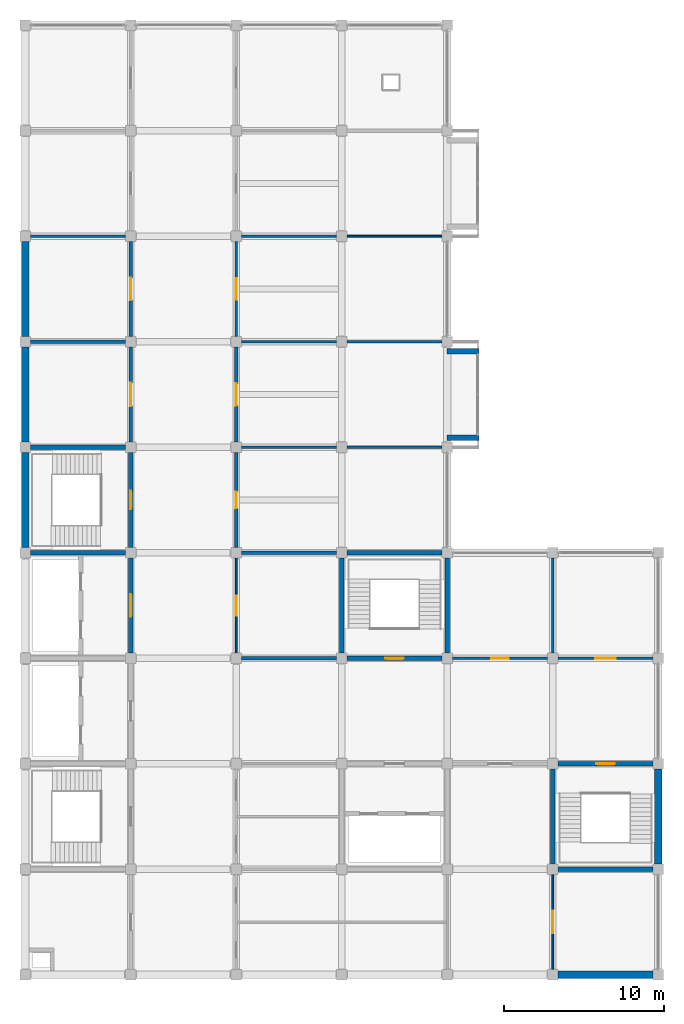
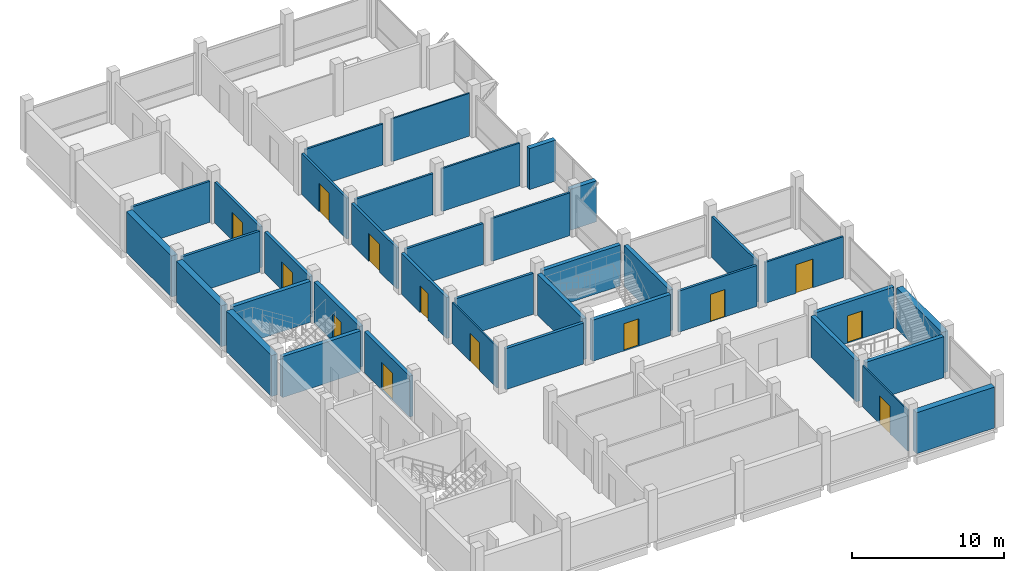
# One storey, part 8 of 10: 38 walls, 13 doors, 13 openings.
"""IFC4 building model written with IfcOpenShell, lengths in metres."""

import ifcopenshell
import ifcopenshell.guid

model = None  # the IFC model being written
_history = None  # IfcOwnerHistory: only IFC2X3 demands one
_inside = {}  # id of a spatial element -> (the spatial element, [elements in it])
_under = {}  # id of a project, library or spatial element -> (it, [spatial elements below it])
_declared = {}  # id of a project -> (the project, [libraries it declares])
_typed = {}  # id of a type object -> (the type object, [elements of that type])
_made_of = {}  # id of a material, layer set ... -> (it, [elements and type objects made of it])


def new_model(schema):
    """Start an empty IFC model of exactly this schema.

    Asked for "IFC4X3", IfcOpenShell would pick the latest addendum, in which some entities
    have other attributes; the version numbers below select the first issue.
    IFC2X3 requires an IfcOwnerHistory on every rooted entity: one is made here for all.
    """
    global model, _history
    if schema == "IFC4X3":
        model = ifcopenshell.file(schema_version=(4, 3, 0, 0))
    else:
        model = ifcopenshell.file(schema=schema)
    _inside.clear()
    _under.clear()
    _declared.clear()
    _typed.clear()
    _made_of.clear()
    _history = None
    if model.schema == "IFC2X3":
        org = make("IfcOrganization", Name="unknown")
        user = make(
            "IfcPersonAndOrganization",
            ThePerson=make("IfcPerson", FamilyName="unknown"),
            TheOrganization=org,
        )
        app = make(
            "IfcApplication",
            ApplicationDeveloper=org,
            Version="unknown",
            ApplicationFullName="unknown",
            ApplicationIdentifier="unknown",
        )
        _history = make(
            "IfcOwnerHistory",
            OwningUser=user,
            OwningApplication=app,
            ChangeAction="ADDED",
            CreationDate=0,
        )
    return model


def make(cls, **values):
    """One entity of the class cls with the attributes given. An attribute that is None is left unset."""
    return model.create_entity(
        cls, **{name: value for name, value in values.items() if value is not None}
    )


def rooted(cls, **values):
    """An entity with a GlobalId (a new one), such as an element, a storey or a relation."""
    return make(cls, GlobalId=ifcopenshell.guid.new(), OwnerHistory=_history, **values)


def si_unit(unit_type, name, prefix=None):
    """IfcSIUnit, for example si_unit("LENGTHUNIT", "METRE", prefix="MILLI")."""
    return make("IfcSIUnit", UnitType=unit_type, Prefix=prefix, Name=name)


def assignment(units):
    """IfcUnitAssignment: the units of a project."""
    return None if units is None else make("IfcUnitAssignment", Units=units)


def point(xyz):
    """IfcCartesianPoint."""
    return None if xyz is None else make("IfcCartesianPoint", Coordinates=xyz)


def direction(xyz):
    """IfcDirection."""
    return None if xyz is None else make("IfcDirection", DirectionRatios=xyz)


def frame(location, z_axis=None, x_axis=None):
    """IfcAxis2Placement3D, a coordinate frame: its origin and axes. An axis left out is left unset."""
    return make(
        "IfcAxis2Placement3D",
        Location=point(location),
        Axis=direction(z_axis),
        RefDirection=direction(x_axis),
    )


def frame_2d(location, x_axis=None):
    """IfcAxis2Placement2D, a coordinate frame in the plane: its origin and x axis."""
    return make(
        "IfcAxis2Placement2D", Location=point(location), RefDirection=direction(x_axis)
    )


def origin():
    """The frame at (0, 0, 0) with its axes left unset."""
    return frame((0.0, 0.0, 0.0))


def place(relative_to, where):
    """IfcLocalPlacement: puts the frame where relative to a parent placement (None: the world)."""
    return make(
        "IfcLocalPlacement", PlacementRelTo=relative_to, RelativePlacement=where
    )


def context(
    kind, dimensions, precision=None, world=None, true_north=None, identifier=None
):
    """IfcGeometricRepresentationContext, for example the 3D "Model" context."""
    return make(
        "IfcGeometricRepresentationContext",
        ContextIdentifier=identifier,
        ContextType=kind,
        CoordinateSpaceDimension=dimensions,
        Precision=precision,
        WorldCoordinateSystem=world,
        TrueNorth=true_north,
    )


def subcontext(parent, identifier, kind, view, scale=None):
    """IfcGeometricRepresentationSubContext, for example "Body" below "Model"."""
    return make(
        "IfcGeometricRepresentationSubContext",
        ContextIdentifier=identifier,
        ContextType=kind,
        ParentContext=parent,
        TargetScale=scale,
        TargetView=view,
    )


def project(units=None, contexts=None):
    """IfcProject with its units and contexts."""
    return rooted(
        "IfcProject",
        Name="project",
        RepresentationContexts=contexts,
        UnitsInContext=assignment(units),
    )


def spatial(cls, under=None, at=None, **own):
    """A site, building, storey or space (cls), placed at a placement, below another one or the project."""
    s = rooted(cls, ObjectPlacement=at, **own)
    if under is not None:
        _under.setdefault(under.id(), (under, []))[1].append(s)
    return s


def profile(cls, at=None, kind="AREA", **sizes):
    """A parametric profile (cls). Its sizes go by their IFC names, for example OverallWidth=200.0."""
    return make(cls, ProfileType=kind, Position=at, **sizes)


def rectangle(**sizes):
    """IfcRectangleProfileDef."""
    return profile("IfcRectangleProfileDef", **sizes)


def extrude(swept, where, along, depth):
    """IfcExtrudedAreaSolid: the profile swept, set in the frame where, extruded along a direction by depth."""
    return make(
        "IfcExtrudedAreaSolid",
        SweptArea=swept,
        Position=where,
        ExtrudedDirection=direction(along),
        Depth=depth,
    )


def shape(context_of_items, identifier, shape_type, items):
    """IfcShapeRepresentation: the items that make up one representation, for example the "Body"."""
    return make(
        "IfcShapeRepresentation",
        ContextOfItems=context_of_items,
        RepresentationIdentifier=identifier,
        RepresentationType=shape_type,
        Items=items,
    )


def material(Name=None, Category=None):
    """IfcMaterial."""
    return make("IfcMaterial", Name=Name, Category=Category)


def layer(
    of_material, thickness, ventilated=None, Name=None, Category=None, Priority=None
):
    """IfcMaterialLayer: one layer of a wall or slab, of a material (None: an air gap)."""
    return make(
        "IfcMaterialLayer",
        Material=of_material,
        LayerThickness=thickness,
        IsVentilated=ventilated,
        Name=Name,
        Category=Category,
        Priority=Priority,
    )


def layer_set(layers, Name=None):
    """IfcMaterialLayerSet."""
    return make("IfcMaterialLayerSet", MaterialLayers=layers, LayerSetName=Name)


def made_of(thing, what):
    """Note that an element or type object is made of a material, layer set ...; save() writes the relation."""
    if what is not None:
        _made_of.setdefault(what.id(), (what, []))[1].append(thing)
    return thing


def type_object(cls, material=None, **own):
    """A type object (cls), such as IfcWallType, which elements share."""
    return made_of(rooted(cls, **own), material)


def element(
    cls,
    number,
    at=None,
    inside=None,
    cuts=None,
    type_object=None,
    material=None,
    context=None,
    identifier="Body",
    shape_type=None,
    held_by="IfcProductDefinitionShape",
    body=None,
    shapes=None,
    **own,
):
    """One element of the class cls, such as IfcWall. Its Tag is "e" and its number.

    at: its placement. inside: the storey or other place that contains it. cuts: it is an
    opening in that element (IfcRelVoidsElement). A single representation is given by context,
    identifier, shape_type and body (its items); several are given by shapes. held_by: the class
    of the entity that holds the representations. save() writes the other relations.
    """
    e = rooted(cls, Tag="e%d" % number, ObjectPlacement=at, **own)
    if body is not None:
        shapes = [shape(context, identifier, shape_type, body)]
    if shapes is not None:
        e.Representation = make(held_by, Representations=shapes)
    if inside is not None:
        _inside.setdefault(inside.id(), (inside, []))[1].append(e)
    if cuts is not None:
        rooted(
            "IfcRelVoidsElement", RelatingBuildingElement=cuts, RelatedOpeningElement=e
        )
    if type_object is not None:
        _typed.setdefault(type_object.id(), (type_object, []))[1].append(e)
    return made_of(e, material)


def fill(opening, filler):
    """IfcRelFillsElement: the door or window that sits in an opening."""
    return rooted(
        "IfcRelFillsElement",
        RelatingOpeningElement=opening,
        RelatedBuildingElement=filler,
    )


def aggregate(whole, parts):
    """IfcRelAggregates: a whole, such as a stair, and the parts it consists of."""
    return rooted("IfcRelAggregates", RelatingObject=whole, RelatedObjects=parts)


def save(model, path):
    """Write the relations noted so far, then the file.

    IfcRelAggregates (storeys below a building ...), IfcRelContainedInSpatialStructure (elements
    in a storey), IfcRelDefinesByType, IfcRelAssociatesMaterial and IfcRelDeclares: one each for
    every whole, place, type object, material and project.
    """
    for whole, parts in _under.values():
        aggregate(whole, parts)
    for where, things in _inside.values():
        rooted(
            "IfcRelContainedInSpatialStructure",
            RelatedElements=things,
            RelatingStructure=where,
        )
    for kind, things in _typed.values():
        rooted("IfcRelDefinesByType", RelatedObjects=things, RelatingType=kind)
    for what, things in _made_of.values():
        rooted("IfcRelAssociatesMaterial", RelatedObjects=things, RelatingMaterial=what)
    for by, libraries in _declared.values():
        rooted("IfcRelDeclares", RelatingContext=by, RelatedDefinitions=libraries)
    model.write(path)


model = new_model("IFC4")

# Units and contexts
model_context = context("Model", 3, precision=1e-05, world=origin(), true_north=direction((0.0, 1.0)))
body_context = subcontext(model_context, "Body", "Model", "MODEL_VIEW")
ifc_project = project(units=[si_unit("LENGTHUNIT", "METRE"), si_unit("AREAUNIT", "SQUARE_METRE"), si_unit("VOLUMEUNIT", "CUBIC_METRE"), si_unit("PLANEANGLEUNIT", "RADIAN"), si_unit("MASSUNIT", "GRAM", prefix="KILO")], contexts=[model_context])

# Site, building, storey
site_placement = place(None, origin())
site = spatial("IfcSite", under=ifc_project, at=site_placement, CompositionType="ELEMENT")
building_placement = place(site_placement, origin())
building = spatial("IfcBuilding", under=site, at=building_placement, Name="Rusizi Kubbe Research Institute", CompositionType="ELEMENT")
storey_placement = place(building_placement, frame((0.0, 0.0, 52.199951171875)))
storey = spatial("IfcBuildingStorey", under=building, at=storey_placement, Name="L12", CompositionType="ELEMENT", Elevation=52.199951171875)

# Walls
ifc_material_1 = material(Name="Concrete C40/50", Category="concrete")
ifc_layer_1 = layer(ifc_material_1, 0.294921875)
ifc_layer_set_1 = layer_set([ifc_layer_1], Name="Concrete C40/50")
wall_type_1 = type_object("IfcWallType", Name="CRW-03", PredefinedType="SHEAR", material=ifc_layer_set_1)
for number, where, z_axis, x_axis, name in (
    (1, (0.324951171875, 26.39990234375, 0.0), (0.0, 0.0, 1.0), (1.0, 0.0, 0.0), "Stair Core Shear Wall ST2 L12 S"),
    (2, (0.324951171875, 33.0, 0.0), (0.0, 0.0, 1.0), (1.0, 0.0, 0.0), "Stair Core Shear Wall ST2 L12 N"),
):
    element("IfcWall", number, at=place(storey_placement, frame(where, z_axis=z_axis, x_axis=x_axis)), inside=storey, type_object=wall_type_1, Name=name, PredefinedType="SHEAR", context=body_context, shape_type="SweptSolid", body=[
        extrude(rectangle(XDim=5.949951171875, YDim=0.294921875, at=frame_2d((2.97509765625, 0.0))), origin(), (0.0, 0.0, 1.0), 3.300048828125),
    ])

# Wall, opening, door
wall_1_placement = place(storey_placement, frame((6.60009765625, 26.72509765625, 0.0), z_axis=(0.0, 0.0, 1.0), x_axis=(0.0, 1.0, 0.0)))
wall_1 = element("IfcWall", 3, at=wall_1_placement, inside=storey, type_object=wall_type_1, Name="Stair Core Shear Wall ST2 L12 E", PredefinedType="SHEAR", context=body_context, shape_type="SweptSolid", body=[
    extrude(rectangle(XDim=5.949951171875, YDim=0.294921875, at=frame_2d((2.97509765625, 0.0))), origin(), (0.0, 0.0, 1.0), 3.300048828125),
])
opening_1_placement = place(wall_1_placement, frame((2.39990234375, 0.0, 0.0)))
opening_1 = element("IfcOpeningElement", 4, at=opening_1_placement, cuts=wall_1, Name="Opening D-02", PredefinedType="OPENING", context=body_context, shape_type="SweptSolid", body=[
    extrude(rectangle(XDim=1.14990234375, YDim=2.199951171875, at=frame_2d((0.574951171875, 1.10009765625))), frame((0.0, 0.157470703125, 0.0), z_axis=(0.0, -1.0, 0.0), x_axis=(1.0, 0.0, 0.0)), (0.0, 0.0, 1.0), 0.31494140625),
])
ifc_material_2 = material(Name="Fire-Rated Steel Frame and Acoustic Timber Leaf", Category="wood")
door_type_1 = type_object("IfcDoorType", Name="ID-STAIR-115", OperationType="NOTDEFINED", PredefinedType="DOOR", material=ifc_material_2)
door_1_placement = place(opening_1_placement, origin())
door_1 = element("IfcDoor", 5, at=door_1_placement, inside=storey, type_object=door_type_1, Name="Exit Stair Door ST2 L12", OperationType="SINGLE_SWING_RIGHT", OverallHeight=2.199951171875, OverallWidth=1.14990234375, PredefinedType="DOOR", context=body_context, shape_type="SweptSolid", body=[
    extrude(rectangle(XDim=1.14990234375, YDim=2.199951171875, at=frame_2d((0.574951171875, 1.10009765625))), frame((0.0, 0.02490234375, 0.0), z_axis=(0.0, -1.0, 0.0), x_axis=(1.0, 0.0, 0.0)), (0.0, 0.0, 1.0), 0.050048828125),
])
fill(opening_1, door_1)

wall_2_placement = place(storey_placement, frame((20.125, 19.800048828125, 0.0), z_axis=(0.0, 0.0, 1.0), x_axis=(1.0, 0.0, 0.0)))
wall_2 = element("IfcWall", 6, at=wall_2_placement, inside=storey, type_object=wall_type_1, Name="Stair Core Shear Wall ST3 L12 S", PredefinedType="SHEAR", context=body_context, shape_type="SweptSolid", body=[
    extrude(rectangle(XDim=5.949951171875, YDim=0.294921875, at=frame_2d((2.97509765625, 0.0))), origin(), (0.0, 0.0, 1.0), 3.300048828125),
])
opening_2_placement = place(wall_2_placement, frame((2.39990234375, 0.0, 0.0)))
opening_2 = element("IfcOpeningElement", 7, at=opening_2_placement, cuts=wall_2, Name="Opening D-02", PredefinedType="OPENING", context=body_context, shape_type="SweptSolid", body=[
    extrude(rectangle(XDim=1.14990234375, YDim=2.199951171875, at=frame_2d((0.574951171875, 1.10009765625))), frame((0.0, 0.157470703125, 0.0), z_axis=(0.0, -1.0, 0.0), x_axis=(1.0, 0.0, 0.0)), (0.0, 0.0, 1.0), 0.31494140625),
])
door_2_placement = place(opening_2_placement, origin())
door_2 = element("IfcDoor", 8, at=door_2_placement, inside=storey, type_object=door_type_1, Name="Exit Stair Door ST3 L12", OperationType="SINGLE_SWING_RIGHT", OverallHeight=2.199951171875, OverallWidth=1.14990234375, PredefinedType="DOOR", context=body_context, shape_type="SweptSolid", body=[
    extrude(rectangle(XDim=1.14990234375, YDim=2.199951171875, at=frame_2d((0.574951171875, 1.10009765625))), frame((0.0, 0.02490234375, 0.0), z_axis=(0.0, -1.0, 0.0), x_axis=(1.0, 0.0, 0.0)), (0.0, 0.0, 1.0), 0.050048828125),
])
fill(opening_2, door_2)

# Walls
for number, where, z_axis, x_axis, name in (
    (9, (20.125, 26.39990234375, 0.0), (0.0, 0.0, 1.0), (1.0, 0.0, 0.0), "Stair Core Shear Wall ST3 L12 N"),
    (10, (19.800048828125, 20.125, 0.0), (0.0, 0.0, 1.0), (0.0, 1.0, 0.0), "Stair Core Shear Wall ST3 L12 W"),
    (11, (26.39990234375, 20.125, 0.0), (0.0, 0.0, 1.0), (0.0, 1.0, 0.0), "Stair Core Shear Wall ST3 L12 E"),
    (12, (33.324951171875, 6.60009765625, 0.0), (0.0, 0.0, 1.0), (1.0, 0.0, 0.0), "Stair Core Shear Wall ST4 L12 S"),
):
    element("IfcWall", number, at=place(storey_placement, frame(where, z_axis=z_axis, x_axis=x_axis)), inside=storey, type_object=wall_type_1, Name=name, PredefinedType="SHEAR", context=body_context, shape_type="SweptSolid", body=[
        extrude(rectangle(XDim=5.949951171875, YDim=0.294921875, at=frame_2d((2.97509765625, 0.0))), origin(), (0.0, 0.0, 1.0), 3.300048828125),
    ])

# Wall, opening, door
wall_3_placement = place(storey_placement, frame((33.324951171875, 13.199951171875, 0.0), z_axis=(0.0, 0.0, 1.0), x_axis=(1.0, 0.0, 0.0)))
wall_3 = element("IfcWall", 13, at=wall_3_placement, inside=storey, type_object=wall_type_1, Name="Stair Core Shear Wall ST4 L12 N", PredefinedType="SHEAR", context=body_context, shape_type="SweptSolid", body=[
    extrude(rectangle(XDim=5.949951171875, YDim=0.294921875, at=frame_2d((2.97509765625, 0.0))), origin(), (0.0, 0.0, 1.0), 3.300048828125),
])
opening_3_placement = place(wall_3_placement, frame((2.39990234375, 0.0, 0.0)))
opening_3 = element("IfcOpeningElement", 14, at=opening_3_placement, cuts=wall_3, Name="Opening D-02", PredefinedType="OPENING", context=body_context, shape_type="SweptSolid", body=[
    extrude(rectangle(XDim=1.14990234375, YDim=2.199951171875, at=frame_2d((0.574951171875, 1.10009765625))), frame((0.0, 0.157470703125, 0.0), z_axis=(0.0, -1.0, 0.0), x_axis=(1.0, 0.0, 0.0)), (0.0, 0.0, 1.0), 0.31494140625),
])
door_3_placement = place(opening_3_placement, origin())
door_3 = element("IfcDoor", 15, at=door_3_placement, inside=storey, type_object=door_type_1, Name="Exit Stair Door ST4 L12", OperationType="SINGLE_SWING_RIGHT", OverallHeight=2.199951171875, OverallWidth=1.14990234375, PredefinedType="DOOR", context=body_context, shape_type="SweptSolid", body=[
    extrude(rectangle(XDim=1.14990234375, YDim=2.199951171875, at=frame_2d((0.574951171875, 1.10009765625))), frame((0.0, 0.02490234375, 0.0), z_axis=(0.0, -1.0, 0.0), x_axis=(1.0, 0.0, 0.0)), (0.0, 0.0, 1.0), 0.050048828125),
])
fill(opening_3, door_3)

# Walls
wall_4_placement = place(storey_placement, frame((33.0, 6.925048828125, 0.0), z_axis=(0.0, 0.0, 1.0), x_axis=(0.0, 1.0, 0.0)))
element("IfcWall", 16, at=wall_4_placement, inside=storey, type_object=wall_type_1, Name="Stair Core Shear Wall ST4 L12 W", PredefinedType="SHEAR", context=body_context, shape_type="SweptSolid", body=[
    extrude(rectangle(XDim=5.949951171875, YDim=0.294921875, at=frame_2d((2.97509765625, 0.0))), origin(), (0.0, 0.0, 1.0), 3.300048828125),
])
ifc_material_3 = material(Name="Volcanic Basalt Ashlar Masonry", Category="masonry")
ifc_layer_2 = layer(ifc_material_3, 0.35498046875)
ifc_layer_set_2 = layer_set([ifc_layer_2], Name="Volcanic Basalt Ashlar Masonry")
wall_type_2 = type_object("IfcWallType", Name="EW-06", PredefinedType="SOLIDWALL", material=ifc_layer_set_2)
for number, where, z_axis, x_axis, name in (
    (17, (26.39990234375, 33.60009765625, 0.0), (0.0, 0.0, 1.0), (1.0, 0.0, 0.0), "Cumba Return Wall S L12 (4,5)"),
    (18, (26.39990234375, 39.0, 0.0), (0.0, 0.0, 1.0), (1.0, 0.0, 0.0), "Cumba Return Wall N L12 (4,5)"),
):
    element("IfcWall", number, at=place(storey_placement, frame(where, z_axis=z_axis, x_axis=x_axis)), inside=storey, type_object=wall_type_2, Name=name, PredefinedType="SOLIDWALL", context=body_context, shape_type="SweptSolid", body=[
        extrude(rectangle(XDim=2.0, YDim=0.35498046875, at=frame_2d((1.0, 0.0))), origin(), (0.0, 0.0, 1.0), 3.300048828125),
    ])

# Wall, opening, door
ifc_material_4 = material(Name="Concrete Blockwork Fire Partition", Category="masonry")
ifc_layer_3 = layer(ifc_material_4, 0.22509765625)
ifc_layer_set_3 = layer_set([ifc_layer_3], Name="Concrete Blockwork Fire Partition")
wall_type_3 = type_object("IfcWallType", Name="IW-01", PredefinedType="PARTITIONING", material=ifc_layer_set_3)
wall_5_placement = place(storey_placement, frame((6.60009765625, 33.324951171875, 0.0), z_axis=(0.0, 0.0, 1.0), x_axis=(0.0, 1.0, 0.0)))
wall_5 = element("IfcWall", 19, at=wall_5_placement, inside=storey, type_object=wall_type_3, Name="Interior Partition Wall L12 V1-5", PredefinedType="PARTITIONING", context=body_context, shape_type="SweptSolid", body=[
    extrude(rectangle(XDim=5.949951171875, YDim=0.22509765625, at=frame_2d((2.97509765625, 0.0))), origin(), (0.0, 0.0, 1.0), 3.300048828125),
])
opening_4_placement = place(wall_5_placement, frame((2.25, 0.0, 0.0)))
opening_4 = element("IfcOpeningElement", 20, at=opening_4_placement, cuts=wall_5, Name="Opening D-11", PredefinedType="OPENING", context=body_context, shape_type="SweptSolid", body=[
    extrude(rectangle(XDim=1.449951171875, YDim=2.25, at=frame_2d((0.72509765625, 1.125))), frame((0.0, 0.12255859375, 0.0), z_axis=(0.0, -1.0, 0.0), x_axis=(1.0, 0.0, 0.0)), (0.0, 0.0, 1.0), 0.2451171875),
])
ifc_material_5 = material(Name="Fire-Rated Steel Frame and Acoustic Timber Leaf", Category="wood")
door_type_2 = type_object("IfcDoorType", Name="ID-LAB-145", OperationType="NOTDEFINED", PredefinedType="DOOR", material=ifc_material_5)
door_4_placement = place(opening_4_placement, origin())
door_4 = element("IfcDoor", 21, at=door_4_placement, inside=storey, type_object=door_type_2, Name="Door to Clean Room Metrology Laboratory (L12-WSP-05)", OperationType="SINGLE_SWING_LEFT", OverallHeight=2.25, OverallWidth=1.449951171875, PredefinedType="DOOR", context=body_context, shape_type="SweptSolid", body=[
    extrude(rectangle(XDim=1.449951171875, YDim=2.25, at=frame_2d((0.72509765625, 1.125))), frame((0.0, 0.02490234375, 0.0), z_axis=(0.0, -1.0, 0.0), x_axis=(1.0, 0.0, 0.0)), (0.0, 0.0, 1.0), 0.050048828125),
])
fill(opening_4, door_4)

wall_6_placement = place(storey_placement, frame((13.199951171875, 26.72509765625, 0.0), z_axis=(0.0, 0.0, 1.0), x_axis=(0.0, 1.0, 0.0)))
wall_6 = element("IfcWall", 22, at=wall_6_placement, inside=storey, type_object=wall_type_3, Name="Interior Partition Wall L12 V2-4", PredefinedType="PARTITIONING", context=body_context, shape_type="SweptSolid", body=[
    extrude(rectangle(XDim=5.949951171875, YDim=0.22509765625, at=frame_2d((2.97509765625, 0.0))), origin(), (0.0, 0.0, 1.0), 3.300048828125),
])
opening_5_placement = place(wall_6_placement, frame((2.449951171875, 0.0, 0.0)))
opening_5 = element("IfcOpeningElement", 23, at=opening_5_placement, cuts=wall_6, Name="Opening D-16", PredefinedType="OPENING", context=body_context, shape_type="SweptSolid", body=[
    extrude(rectangle(XDim=1.050048828125, YDim=2.14990234375, at=frame_2d((0.52490234375, 1.074951171875))), frame((0.0, 0.12255859375, 0.0), z_axis=(0.0, -1.0, 0.0), x_axis=(1.0, 0.0, 0.0)), (0.0, 0.0, 1.0), 0.2451171875),
])
ifc_material_6 = material(Name="Fire-Rated Steel Frame and Acoustic Timber Leaf", Category="wood")
door_type_3 = type_object("IfcDoorType", Name="ID-OFF-105", OperationType="NOTDEFINED", PredefinedType="DOOR", material=ifc_material_6)
door_5_placement = place(opening_5_placement, origin())
door_5 = element("IfcDoor", 24, at=door_5_placement, inside=storey, type_object=door_type_3, Name="Door to Write-up Office (L12-NW-02)", OperationType="SINGLE_SWING_LEFT", OverallHeight=2.14990234375, OverallWidth=1.050048828125, PredefinedType="DOOR", context=body_context, shape_type="SweptSolid", body=[
    extrude(rectangle(XDim=1.050048828125, YDim=2.14990234375, at=frame_2d((0.52490234375, 1.074951171875))), frame((0.0, 0.02490234375, 0.0), z_axis=(0.0, -1.0, 0.0), x_axis=(1.0, 0.0, 0.0)), (0.0, 0.0, 1.0), 0.050048828125),
])
fill(opening_5, door_5)

# Walls
wall_7_placement = place(storey_placement, frame((13.52490234375, 19.800048828125, 0.0), z_axis=(0.0, 0.0, 1.0), x_axis=(1.0, 0.0, 0.0)))
element("IfcWall", 25, at=wall_7_placement, inside=storey, type_object=wall_type_3, Name="Interior Partition Wall L12 H2-3", PredefinedType="PARTITIONING", context=body_context, shape_type="SweptSolid", body=[
    extrude(rectangle(XDim=5.9501953125, YDim=0.22509765625, at=frame_2d((2.97509765625, 0.0))), origin(), (0.0, 0.0, 1.0), 3.300048828125),
])
ifc_material_7 = material(Name="Insulated Cleanroom Partition", Category="masonry")
ifc_layer_4 = layer(ifc_material_7, 0.195068359375)
ifc_layer_set_4 = layer_set([ifc_layer_4], Name="Insulated Cleanroom Partition")
wall_type_4 = type_object("IfcWallType", Name="IW-02", PredefinedType="PARTITIONING", material=ifc_layer_set_4)
wall_8_placement = place(storey_placement, frame((0.324951171875, 39.60009765625, 0.0), z_axis=(0.0, 0.0, 1.0), x_axis=(1.0, 0.0, 0.0)))
element("IfcWall", 26, at=wall_8_placement, inside=storey, type_object=wall_type_4, Name="Interior Partition Wall L12 H0-6", PredefinedType="PARTITIONING", context=body_context, shape_type="SweptSolid", body=[
    extrude(rectangle(XDim=5.949951171875, YDim=0.195068359375, at=frame_2d((2.97509765625, 0.0))), origin(), (0.0, 0.0, 1.0), 3.300048828125),
])

# Wall, opening, door
wall_9_placement = place(storey_placement, frame((6.60009765625, 39.925048828125, 0.0), z_axis=(0.0, 0.0, 1.0), x_axis=(0.0, 1.0, 0.0)))
wall_9 = element("IfcWall", 27, at=wall_9_placement, inside=storey, type_object=wall_type_4, Name="Interior Partition Wall L12 V1-6", PredefinedType="PARTITIONING", context=body_context, shape_type="SweptSolid", body=[
    extrude(rectangle(XDim=5.949951171875, YDim=0.195068359375, at=frame_2d((2.97509765625, 0.0))), origin(), (0.0, 0.0, 1.0), 3.300048828125),
])
opening_6_placement = place(wall_9_placement, frame((2.27490234375, 0.0, 0.0)))
opening_6 = element("IfcOpeningElement", 28, at=opening_6_placement, cuts=wall_9, Name="Opening D-12", PredefinedType="OPENING", context=body_context, shape_type="SweptSolid", body=[
    extrude(rectangle(XDim=1.39990234375, YDim=2.25, at=frame_2d((0.699951171875, 1.125))), frame((0.0, 0.107421875, 0.0), z_axis=(0.0, -1.0, 0.0), x_axis=(1.0, 0.0, 0.0)), (0.0, 0.0, 1.0), 0.215087890625),
])
ifc_material_8 = material(Name="Fire-Rated Steel Frame and Acoustic Timber Leaf", Category="wood")
door_type_4 = type_object("IfcDoorType", Name="ID-LAB-140", OperationType="NOTDEFINED", PredefinedType="DOOR", material=ifc_material_8)
door_6_placement = place(opening_6_placement, origin())
door_6 = element("IfcDoor", 29, at=door_6_placement, inside=storey, type_object=door_type_4, Name="Door to Service Spine Autoclave Room (L12-WSP-06)", OperationType="SINGLE_SWING_RIGHT", OverallHeight=2.25, OverallWidth=1.39990234375, PredefinedType="DOOR", context=body_context, shape_type="SweptSolid", body=[
    extrude(rectangle(XDim=1.39990234375, YDim=2.25, at=frame_2d((0.699951171875, 1.125))), frame((0.0, 0.02490234375, 0.0), z_axis=(0.0, -1.0, 0.0), x_axis=(1.0, 0.0, 0.0)), (0.0, 0.0, 1.0), 0.050048828125),
])
fill(opening_6, door_6)

wall_10_placement = place(storey_placement, frame((13.199951171875, 33.324951171875, 0.0), z_axis=(0.0, 0.0, 1.0), x_axis=(0.0, 1.0, 0.0)))
wall_10 = element("IfcWall", 30, at=wall_10_placement, inside=storey, type_object=wall_type_4, Name="Interior Partition Wall L12 V2-5", PredefinedType="PARTITIONING", context=body_context, shape_type="SweptSolid", body=[
    extrude(rectangle(XDim=5.949951171875, YDim=0.195068359375, at=frame_2d((2.97509765625, 0.0))), origin(), (0.0, 0.0, 1.0), 3.300048828125),
])
opening_7_placement = place(wall_10_placement, frame((2.27490234375, 0.0, 0.0)))
opening_7 = element("IfcOpeningElement", 31, at=opening_7_placement, cuts=wall_10, Name="Opening D-12", PredefinedType="OPENING", context=body_context, shape_type="SweptSolid", body=[
    extrude(rectangle(XDim=1.39990234375, YDim=2.25, at=frame_2d((0.699951171875, 1.125))), frame((0.0, 0.107421875, 0.0), z_axis=(0.0, -1.0, 0.0), x_axis=(1.0, 0.0, 0.0)), (0.0, 0.0, 1.0), 0.215087890625),
])
door_7_placement = place(opening_7_placement, origin())
door_7 = element("IfcDoor", 32, at=door_7_placement, inside=storey, type_object=door_type_4, Name="Door to Bioscience Wet Laboratory (L12-NW-03)", OperationType="SINGLE_SWING_RIGHT", OverallHeight=2.25, OverallWidth=1.39990234375, PredefinedType="DOOR", context=body_context, shape_type="SweptSolid", body=[
    extrude(rectangle(XDim=1.39990234375, YDim=2.25, at=frame_2d((0.699951171875, 1.125))), frame((0.0, 0.02490234375, 0.0), z_axis=(0.0, -1.0, 0.0), x_axis=(1.0, 0.0, 0.0)), (0.0, 0.0, 1.0), 0.050048828125),
])
fill(opening_7, door_7)

# Walls
wall_11_placement = place(storey_placement, frame((13.52490234375, 26.39990234375, 0.0), z_axis=(0.0, 0.0, 1.0), x_axis=(1.0, 0.0, 0.0)))
element("IfcWall", 33, at=wall_11_placement, inside=storey, type_object=wall_type_4, Name="Interior Partition Wall L12 H2-4", PredefinedType="PARTITIONING", context=body_context, shape_type="SweptSolid", body=[
    extrude(rectangle(XDim=5.9501953125, YDim=0.195068359375, at=frame_2d((2.97509765625, 0.0))), origin(), (0.0, 0.0, 1.0), 3.300048828125),
])
ifc_material_9 = material(Name="Acoustic Laboratory Partition", Category="masonry")
ifc_layer_5 = layer(ifc_material_9, 0.175048828125)
ifc_layer_set_5 = layer_set([ifc_layer_5], Name="Acoustic Laboratory Partition")
wall_type_5 = type_object("IfcWallType", Name="IW-03", PredefinedType="PARTITIONING", material=ifc_layer_set_5)
wall_12_placement = place(storey_placement, frame((0.324951171875, 46.199951171875, 0.0), z_axis=(0.0, 0.0, 1.0), x_axis=(1.0, 0.0, 0.0)))
element("IfcWall", 34, at=wall_12_placement, inside=storey, type_object=wall_type_5, Name="Interior Partition Wall L12 H0-7", PredefinedType="PARTITIONING", context=body_context, shape_type="SweptSolid", body=[
    extrude(rectangle(XDim=5.949951171875, YDim=0.175048828125, at=frame_2d((2.97509765625, 0.0))), origin(), (0.0, 0.0, 1.0), 3.300048828125),
])

# Wall, opening, door
wall_13_placement = place(storey_placement, frame((13.199951171875, 39.925048828125, 0.0), z_axis=(0.0, 0.0, 1.0), x_axis=(0.0, 1.0, 0.0)))
wall_13 = element("IfcWall", 35, at=wall_13_placement, inside=storey, type_object=wall_type_5, Name="Interior Partition Wall L12 V2-6", PredefinedType="PARTITIONING", context=body_context, shape_type="SweptSolid", body=[
    extrude(rectangle(XDim=5.949951171875, YDim=0.175048828125, at=frame_2d((2.97509765625, 0.0))), origin(), (0.0, 0.0, 1.0), 3.300048828125),
])
opening_8_placement = place(wall_13_placement, frame((2.300048828125, 0.0, 0.0)))
opening_8 = element("IfcOpeningElement", 36, at=opening_8_placement, cuts=wall_13, Name="Opening D-13", PredefinedType="OPENING", context=body_context, shape_type="SweptSolid", body=[
    extrude(rectangle(XDim=1.35009765625, YDim=2.300048828125, at=frame_2d((0.675048828125, 1.14990234375))), frame((0.0, 0.097412109375, 0.0), z_axis=(0.0, -1.0, 0.0), x_axis=(1.0, 0.0, 0.0)), (0.0, 0.0, 1.0), 0.195068359375),
])
ifc_material_10 = material(Name="Fire-Rated Steel Frame and Acoustic Timber Leaf", Category="wood")
door_type_5 = type_object("IfcDoorType", Name="ID-LAB-135", OperationType="NOTDEFINED", PredefinedType="DOOR", material=ifc_material_10)
door_8_placement = place(opening_8_placement, origin())
door_8 = element("IfcDoor", 37, at=door_8_placement, inside=storey, type_object=door_type_5, Name="Door to Computational Dry Laboratory (L12-NW-04)", OperationType="SINGLE_SWING_LEFT", OverallHeight=2.300048828125, OverallWidth=1.35009765625, PredefinedType="DOOR", context=body_context, shape_type="SweptSolid", body=[
    extrude(rectangle(XDim=1.35009765625, YDim=2.300048828125, at=frame_2d((0.675048828125, 1.14990234375))), frame((0.0, 0.02490234375, 0.0), z_axis=(0.0, -1.0, 0.0), x_axis=(1.0, 0.0, 0.0)), (0.0, 0.0, 1.0), 0.050048828125),
])
fill(opening_8, door_8)

# Wall
wall_14_placement = place(storey_placement, frame((13.52490234375, 33.0, 0.0), z_axis=(0.0, 0.0, 1.0), x_axis=(1.0, 0.0, 0.0)))
element("IfcWall", 38, at=wall_14_placement, inside=storey, type_object=wall_type_5, Name="Interior Partition Wall L12 H2-5", PredefinedType="PARTITIONING", context=body_context, shape_type="SweptSolid", body=[
    extrude(rectangle(XDim=5.9501953125, YDim=0.175048828125, at=frame_2d((2.97509765625, 0.0))), origin(), (0.0, 0.0, 1.0), 3.300048828125),
])

# Wall, opening, door
wall_15_placement = place(storey_placement, frame((26.72509765625, 19.800048828125, 0.0), z_axis=(0.0, 0.0, 1.0), x_axis=(1.0, 0.0, 0.0)))
wall_15 = element("IfcWall", 39, at=wall_15_placement, inside=storey, type_object=wall_type_5, Name="Interior Partition Wall L12 H4-3", PredefinedType="PARTITIONING", context=body_context, shape_type="SweptSolid", body=[
    extrude(rectangle(XDim=5.949951171875, YDim=0.175048828125, at=frame_2d((2.97509765625, 0.0))), origin(), (0.0, 0.0, 1.0), 3.300048828125),
])
opening_9_placement = place(wall_15_placement, frame((2.4150390625, 0.0, 0.0)))
opening_9 = element("IfcOpeningElement", 40, at=opening_9_placement, cuts=wall_15, Name="Opening D-18", PredefinedType="OPENING", context=body_context, shape_type="SweptSolid", body=[
    extrude(rectangle(XDim=1.1201171875, YDim=2.199951171875, at=frame_2d((0.56005859375, 1.10009765625))), frame((0.0, 0.097412109375, 0.0), z_axis=(0.0, -1.0, 0.0), x_axis=(1.0, 0.0, 0.0)), (0.0, 0.0, 1.0), 0.195068359375),
])
ifc_material_11 = material(Name="Fire-Rated Steel Frame and Acoustic Timber Leaf", Category="wood")
door_type_6 = type_object("IfcDoorType", Name="ID-OFF-112", OperationType="NOTDEFINED", PredefinedType="DOOR", material=ifc_material_11)
door_9_placement = place(opening_9_placement, origin())
door_9 = element("IfcDoor", 41, at=door_9_placement, inside=storey, type_object=door_type_6, Name="Door to Write-up Office (L12-EWN-01)", OperationType="SINGLE_SWING_LEFT", OverallHeight=2.199951171875, OverallWidth=1.1201171875, PredefinedType="DOOR", context=body_context, shape_type="SweptSolid", body=[
    extrude(rectangle(XDim=1.1201171875, YDim=2.199951171875, at=frame_2d((0.56005859375, 1.10009765625))), frame((0.0, 0.02490234375, 0.0), z_axis=(0.0, -1.0, 0.0), x_axis=(1.0, 0.0, 0.0)), (0.0, 0.0, 1.0), 0.050048828125),
])
fill(opening_9, door_9)

# Walls
wall_16_placement = place(storey_placement, frame((33.0, 20.125, 0.0), z_axis=(0.0, 0.0, 1.0), x_axis=(0.0, 1.0, 0.0)))
element("IfcWall", 42, at=wall_16_placement, inside=storey, type_object=wall_type_5, Name="Interior Partition Wall L12 V5-3", PredefinedType="PARTITIONING", context=body_context, shape_type="SweptSolid", body=[
    extrude(rectangle(XDim=5.949951171875, YDim=0.175048828125, at=frame_2d((2.97509765625, 0.0))), origin(), (0.0, 0.0, 1.0), 3.300048828125),
])
ifc_material_12 = material(Name="Fire-Rated Corridor Partition", Category="masonry")
ifc_layer_6 = layer(ifc_material_12, 0.155029296875)
ifc_layer_set_6 = layer_set([ifc_layer_6], Name="Fire-Rated Corridor Partition")
wall_type_6 = type_object("IfcWallType", Name="IW-04", PredefinedType="PARTITIONING", material=ifc_layer_set_6)
wall_17_placement = place(storey_placement, frame((13.52490234375, 39.60009765625, 0.0), z_axis=(0.0, 0.0, 1.0), x_axis=(1.0, 0.0, 0.0)))
element("IfcWall", 43, at=wall_17_placement, inside=storey, type_object=wall_type_6, Name="Interior Partition Wall L12 H2-6", PredefinedType="PARTITIONING", context=body_context, shape_type="SweptSolid", body=[
    extrude(rectangle(XDim=5.9501953125, YDim=0.155029296875, at=frame_2d((2.97509765625, 0.0))), origin(), (0.0, 0.0, 1.0), 3.300048828125),
])
wall_18_placement = place(storey_placement, frame((20.125, 33.0, 0.0), z_axis=(0.0, 0.0, 1.0), x_axis=(1.0, 0.0, 0.0)))
element("IfcWall", 44, at=wall_18_placement, inside=storey, type_object=wall_type_6, Name="Interior Partition Wall L12 H3-5", PredefinedType="PARTITIONING", context=body_context, shape_type="SweptSolid", body=[
    extrude(rectangle(XDim=5.949951171875, YDim=0.155029296875, at=frame_2d((2.97509765625, 0.0))), origin(), (0.0, 0.0, 1.0), 3.449951171875),
])

# Wall, opening, door
wall_19_placement = place(storey_placement, frame((33.324951171875, 19.800048828125, 0.0), z_axis=(0.0, 0.0, 1.0), x_axis=(1.0, 0.0, 0.0)))
wall_19 = element("IfcWall", 45, at=wall_19_placement, inside=storey, type_object=wall_type_6, Name="Interior Partition Wall L12 H5-3", PredefinedType="PARTITIONING", context=body_context, shape_type="SweptSolid", body=[
    extrude(rectangle(XDim=5.949951171875, YDim=0.155029296875, at=frame_2d((2.97509765625, 0.0))), origin(), (0.0, 0.0, 1.0), 3.300048828125),
])
opening_10_placement = place(wall_19_placement, frame((2.324951171875, 0.0, 0.0)))
opening_10 = element("IfcOpeningElement", 46, at=opening_10_placement, cuts=wall_19, Name="Opening D-14", PredefinedType="OPENING", context=body_context, shape_type="SweptSolid", body=[
    extrude(rectangle(XDim=1.300048828125, YDim=2.300048828125, at=frame_2d((0.64990234375, 1.14990234375))), frame((0.0, 0.08740234375, 0.0), z_axis=(0.0, -1.0, 0.0), x_axis=(1.0, 0.0, 0.0)), (0.0, 0.0, 1.0), 0.175048828125),
])
ifc_material_13 = material(Name="Fire-Rated Steel Frame and Acoustic Timber Leaf", Category="wood")
door_type_7 = type_object("IfcDoorType", Name="ID-LAB-130", OperationType="NOTDEFINED", PredefinedType="DOOR", material=ifc_material_13)
door_10_placement = place(opening_10_placement, origin())
door_10 = element("IfcDoor", 47, at=door_10_placement, inside=storey, type_object=door_type_7, Name="Door to Molecular Diagnostics Laboratory (L12-EWN-02)", OperationType="SINGLE_SWING_RIGHT", OverallHeight=2.300048828125, OverallWidth=1.300048828125, PredefinedType="DOOR", context=body_context, shape_type="SweptSolid", body=[
    extrude(rectangle(XDim=1.300048828125, YDim=2.300048828125, at=frame_2d((0.64990234375, 1.14990234375))), frame((0.0, 0.02490234375, 0.0), z_axis=(0.0, -1.0, 0.0), x_axis=(1.0, 0.0, 0.0)), (0.0, 0.0, 1.0), 0.050048828125),
])
fill(opening_10, door_10)

# Walls
ifc_material_14 = material(Name="Write-up Glazed Acoustic Partition", Category="masonry")
ifc_layer_7 = layer(ifc_material_14, 0.139892578125)
ifc_layer_set_7 = layer_set([ifc_layer_7], Name="Write-up Glazed Acoustic Partition")
wall_type_7 = type_object("IfcWallType", Name="IW-05", PredefinedType="PARTITIONING", material=ifc_layer_set_7)
wall_20_placement = place(storey_placement, frame((13.52490234375, 46.199951171875, 0.0), z_axis=(0.0, 0.0, 1.0), x_axis=(1.0, 0.0, 0.0)))
element("IfcWall", 48, at=wall_20_placement, inside=storey, type_object=wall_type_7, Name="Interior Partition Wall L12 H2-7", PredefinedType="PARTITIONING", context=body_context, shape_type="SweptSolid", body=[
    extrude(rectangle(XDim=5.9501953125, YDim=0.139892578125, at=frame_2d((2.97509765625, 0.0))), origin(), (0.0, 0.0, 1.0), 3.300048828125),
])
wall_21_placement = place(storey_placement, frame((20.125, 39.60009765625, 0.0), z_axis=(0.0, 0.0, 1.0), x_axis=(1.0, 0.0, 0.0)))
element("IfcWall", 49, at=wall_21_placement, inside=storey, type_object=wall_type_7, Name="Interior Partition Wall L12 H3-6", PredefinedType="PARTITIONING", context=body_context, shape_type="SweptSolid", body=[
    extrude(rectangle(XDim=5.949951171875, YDim=0.139892578125, at=frame_2d((2.97509765625, 0.0))), origin(), (0.0, 0.0, 1.0), 3.449951171875),
])

# Wall, opening, door
ifc_material_15 = material(Name="Sub-Suite Fire Partition", Category="masonry")
ifc_layer_8 = layer(ifc_material_15, 0.110107421875)
ifc_layer_set_8 = layer_set([ifc_layer_8], Name="Sub-Suite Fire Partition")
wall_type_8 = type_object("IfcWallType", Name="IW-07", PredefinedType="PARTITIONING", material=ifc_layer_set_8)
wall_22_placement = place(storey_placement, frame((13.199951171875, 20.125, 0.0), z_axis=(0.0, 0.0, 1.0), x_axis=(0.0, 1.0, 0.0)))
wall_22 = element("IfcWall", 50, at=wall_22_placement, inside=storey, type_object=wall_type_8, Name="Interior Partition Wall L12 V2-3", PredefinedType="PARTITIONING", context=body_context, shape_type="SweptSolid", body=[
    extrude(rectangle(XDim=5.949951171875, YDim=0.110107421875, at=frame_2d((2.97509765625, 0.0))), origin(), (0.0, 0.0, 1.0), 3.300048828125),
])
opening_11_placement = place(wall_22_placement, frame((2.35009765625, 0.0, 0.0)))
opening_11 = element("IfcOpeningElement", 51, at=opening_11_placement, cuts=wall_22, Name="Opening D-15", PredefinedType="OPENING", context=body_context, shape_type="SweptSolid", body=[
    extrude(rectangle(XDim=1.25, YDim=2.25, at=frame_2d((0.625, 1.125))), frame((0.0, 0.06494140625, 0.0), z_axis=(0.0, -1.0, 0.0), x_axis=(1.0, 0.0, 0.0)), (0.0, 0.0, 1.0), 0.130126953125),
])
ifc_material_16 = material(Name="Fire-Rated Steel Frame and Acoustic Timber Leaf", Category="wood")
door_type_8 = type_object("IfcDoorType", Name="ID-LAB-125", OperationType="NOTDEFINED", PredefinedType="DOOR", material=ifc_material_16)
door_11_placement = place(opening_11_placement, origin())
door_11 = element("IfcDoor", 52, at=door_11_placement, inside=storey, type_object=door_type_8, Name="Door to Computational Dry Laboratory (L12-NW-01)", OperationType="SINGLE_SWING_LEFT", OverallHeight=2.25, OverallWidth=1.25, PredefinedType="DOOR", context=body_context, shape_type="SweptSolid", body=[
    extrude(rectangle(XDim=1.25, YDim=2.25, at=frame_2d((0.625, 1.125))), frame((0.0, 0.02490234375, 0.0), z_axis=(0.0, -1.0, 0.0), x_axis=(1.0, 0.0, 0.0)), (0.0, 0.0, 1.0), 0.050048828125),
])
fill(opening_11, door_11)

# Wall
wall_23_placement = place(storey_placement, frame((20.125, 46.199951171875, 0.0), z_axis=(0.0, 0.0, 1.0), x_axis=(1.0, 0.0, 0.0)))
element("IfcWall", 53, at=wall_23_placement, inside=storey, type_object=wall_type_8, Name="Interior Partition Wall L12 H3-7", PredefinedType="PARTITIONING", context=body_context, shape_type="SweptSolid", body=[
    extrude(rectangle(XDim=5.949951171875, YDim=0.110107421875, at=frame_2d((2.97509765625, 0.0))), origin(), (0.0, 0.0, 1.0), 3.449951171875),
])

# Wall, opening, door
wall_24_placement = place(storey_placement, frame((33.0, 0.324951171875, 0.0), z_axis=(0.0, 0.0, 1.0), x_axis=(0.0, 1.0, 0.0)))
wall_24 = element("IfcWall", 54, at=wall_24_placement, inside=storey, type_object=wall_type_8, Name="Interior Partition Wall L12 V5-0", PredefinedType="PARTITIONING", context=body_context, shape_type="SweptSolid", body=[
    extrude(rectangle(XDim=5.949951171875, YDim=0.110107421875, at=frame_2d((2.97509765625, 0.0))), origin(), (0.0, 0.0, 1.0), 3.300048828125),
])
opening_12_placement = place(wall_24_placement, frame((2.27490234375, 0.0, 0.0)))
opening_12 = element("IfcOpeningElement", 55, at=opening_12_placement, cuts=wall_24, Name="Opening D-12", PredefinedType="OPENING", context=body_context, shape_type="SweptSolid", body=[
    extrude(rectangle(XDim=1.39990234375, YDim=2.25, at=frame_2d((0.699951171875, 1.125))), frame((0.0, 0.06494140625, 0.0), z_axis=(0.0, -1.0, 0.0), x_axis=(1.0, 0.0, 0.0)), (0.0, 0.0, 1.0), 0.130126953125),
])
door_12_placement = place(opening_12_placement, origin())
door_12 = element("IfcDoor", 56, at=door_12_placement, inside=storey, type_object=door_type_4, Name="Door to Laboratory Instrument Support Room (L12-EWU-05)", OperationType="SINGLE_SWING_RIGHT", OverallHeight=2.25, OverallWidth=1.39990234375, PredefinedType="DOOR", context=body_context, shape_type="SweptSolid", body=[
    extrude(rectangle(XDim=1.39990234375, YDim=2.25, at=frame_2d((0.699951171875, 1.125))), frame((0.0, 0.02490234375, 0.0), z_axis=(0.0, -1.0, 0.0), x_axis=(1.0, 0.0, 0.0)), (0.0, 0.0, 1.0), 0.050048828125),
])
fill(opening_12, door_12)

# Walls
ifc_material_17 = material(Name="Concrete C40/50", Category="concrete")
ifc_layer_9 = layer(ifc_material_17, 0.4599609375)
ifc_layer_set_9 = layer_set([ifc_layer_9], Name="Concrete C40/50")
wall_type_9 = type_object("IfcWallType", Name="PW-02", PredefinedType="SOLIDWALL", material=ifc_layer_set_9)
for number, where, z_axis, x_axis, name in (
    (57, (0.0, 26.72509765625, 0.0), (0.0, 0.0, 1.0), (0.0, 1.0, 0.0), "Blind Party Wall L12 V0-4"),
    (58, (0.0, 33.324951171875, 0.0), (0.0, 0.0, 1.0), (0.0, 1.0, 0.0), "Blind Party Wall L12 V0-5"),
    (59, (0.0, 39.925048828125, 0.0), (0.0, 0.0, 1.0), (0.0, 1.0, 0.0), "Blind Party Wall L12 V0-6"),
    (60, (33.324951171875, 0.0, 0.0), (0.0, 0.0, 1.0), (1.0, 0.0, 0.0), "Blind Party Wall L12 H5-0"),
    (61, (39.60009765625, 6.925048828125, 0.0), (0.0, 0.0, 1.0), (0.0, 1.0, 0.0), "Core Shear Exterior Wall L12 V6-1"),
):
    element("IfcWall", number, at=place(storey_placement, frame(where, z_axis=z_axis, x_axis=x_axis)), inside=storey, type_object=wall_type_9, Name=name, PredefinedType="SOLIDWALL", context=body_context, shape_type="SweptSolid", body=[
        extrude(rectangle(XDim=5.949951171875, YDim=0.4599609375, at=frame_2d((2.97509765625, 0.0))), origin(), (0.0, 0.0, 1.0), 3.300048828125),
    ])

# Wall, opening, door
ifc_material_18 = material(Name="Concrete C40/50", Category="concrete")
ifc_layer_10 = layer(ifc_material_18, 0.27490234375)
ifc_layer_set_10 = layer_set([ifc_layer_10], Name="Concrete C40/50")
wall_type_10 = type_object("IfcWallType", Name="SHW-01", PredefinedType="SHEAR", material=ifc_layer_set_10)
wall_25_placement = place(storey_placement, frame((6.60009765625, 20.125, 0.0), z_axis=(0.0, 0.0, 1.0), x_axis=(0.0, 1.0, 0.0)))
wall_25 = element("IfcWall", 62, at=wall_25_placement, inside=storey, type_object=wall_type_10, Name="Passenger Lift Lobby Wall L12", PredefinedType="SHEAR", context=body_context, shape_type="SweptSolid", body=[
    extrude(rectangle(XDim=5.949951171875, YDim=0.27490234375, at=frame_2d((2.97509765625, 0.0))), origin(), (0.0, 0.0, 1.0), 3.300048828125),
])
opening_13_placement = place(wall_25_placement, frame((2.264892578125, 0.0, 0.0)))
opening_13 = element("IfcOpeningElement", 63, at=opening_13_placement, cuts=wall_25, Name="Opening D-22", PredefinedType="OPENING", context=body_context, shape_type="SweptSolid", body=[
    extrude(rectangle(XDim=1.419921875, YDim=2.199951171875, at=frame_2d((0.7099609375, 1.10009765625))), frame((0.0, 0.1474609375, 0.0), z_axis=(0.0, -1.0, 0.0), x_axis=(1.0, 0.0, 0.0)), (0.0, 0.0, 1.0), 0.294921875),
])
ifc_material_19 = material(Name="Fire-Rated Steel Frame and Acoustic Timber Leaf", Category="wood")
door_type_9 = type_object("IfcDoorType", Name="ID-STR-142", OperationType="DOUBLE_DOOR_SINGLE_SWING", PredefinedType="DOOR", material=ifc_material_19)
door_13_placement = place(opening_13_placement, origin())
door_13 = element("IfcDoor", 64, at=door_13_placement, inside=storey, type_object=door_type_9, Name="Door to Passenger Lift Lobby (L12-LBY-01)", OperationType="DOUBLE_DOOR_SINGLE_SWING", OverallHeight=2.199951171875, OverallWidth=1.419921875, PredefinedType="DOOR", context=body_context, shape_type="SweptSolid", body=[
    extrude(rectangle(XDim=1.419921875, YDim=2.199951171875, at=frame_2d((0.7099609375, 1.10009765625))), frame((0.0, 0.02490234375, 0.0), z_axis=(0.0, -1.0, 0.0), x_axis=(1.0, 0.0, 0.0)), (0.0, 0.0, 1.0), 0.050048828125),
])
fill(opening_13, door_13)

save(model, "model.ifc")
